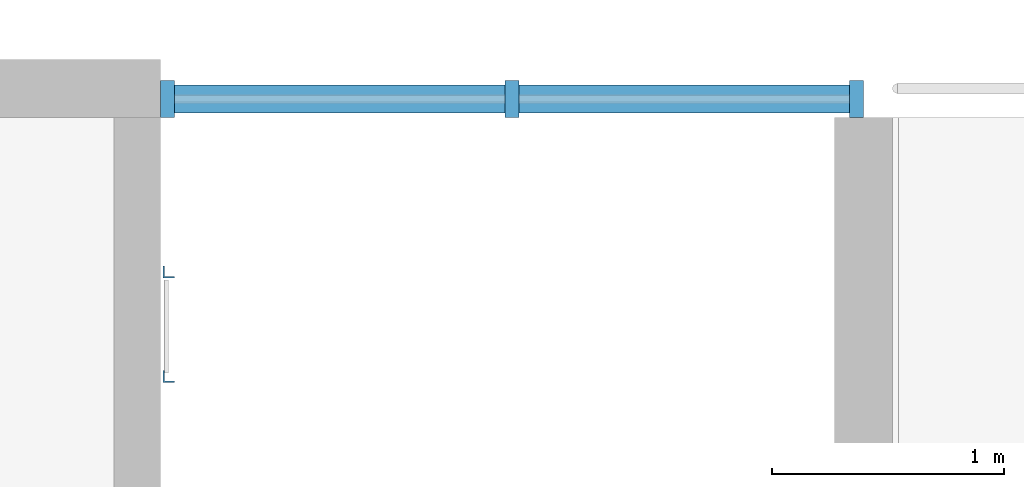
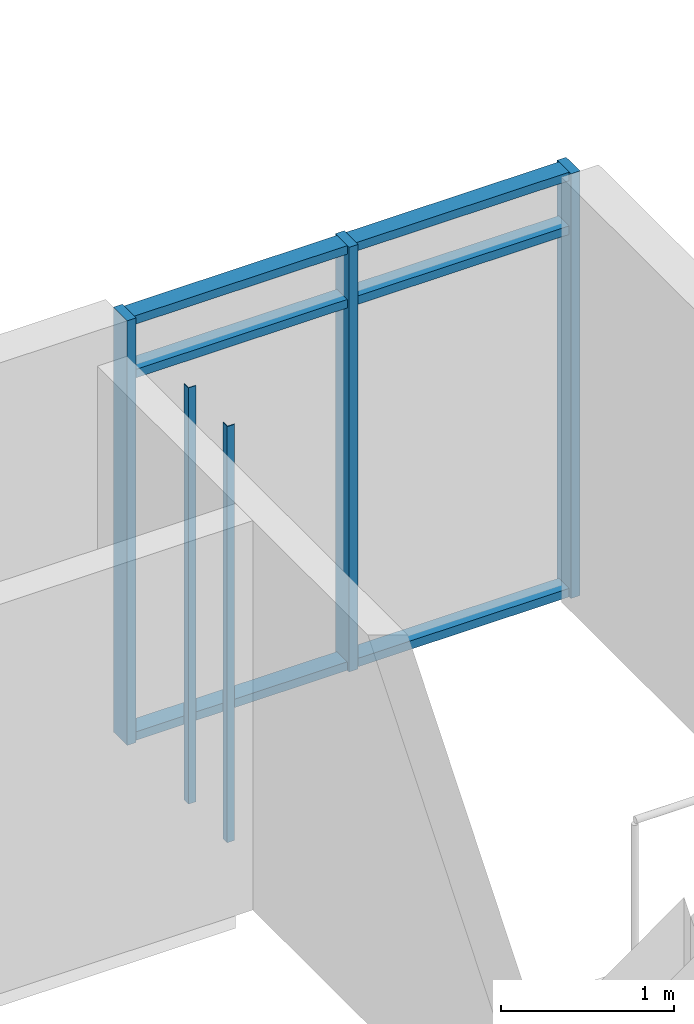
# One storey, part 12 of 78: 11 members, 1 element without a shape of its own.
"""IFC4 building model written with IfcOpenShell, lengths in metres."""

from ifc_helpers import new_model, si_unit, direction, frame, origin, origin_2d, place, context, subcontext, project, spatial, polyline, rectangle, outline, extrude, material, material_profile, profile_set, type_object, element, aggregate, save


model = new_model("IFC4")

# Units and contexts
model_context = context("Model", 3, precision=1e-05, world=origin(), true_north=direction((0.0, 1.0)))
body_context = subcontext(model_context, "Body", "Model", "MODEL_VIEW")
ifc_project = project(units=[si_unit("LENGTHUNIT", "METRE"), si_unit("AREAUNIT", "SQUARE_METRE"), si_unit("VOLUMEUNIT", "CUBIC_METRE"), si_unit("PLANEANGLEUNIT", "RADIAN"), si_unit("MASSUNIT", "GRAM", prefix="KILO")], contexts=[model_context])

# Site, building, storey
site_placement = place(None, origin())
site = spatial("IfcSite", under=ifc_project, at=site_placement, CompositionType="ELEMENT")
building_placement = place(site_placement, origin())
building = spatial("IfcBuilding", under=site, at=building_placement, Name="Ridgestep Commons", CompositionType="ELEMENT")
storey_placement = place(building_placement, frame((0.0, 0.0, 30.0)))
storey = spatial("IfcBuildingStorey", under=building, at=storey_placement, Name="L10", CompositionType="ELEMENT", Elevation=30.0)

# Members
ifc_material_1 = material(Name="Structural steel S355JR", Category="steel")
ifc_material_profile_1 = material_profile(ifc_material_1, outline(polyline([(-0.014404296875, -0.014404296875), (0.03564453125, -0.014404296875), (0.03564453125, -0.00927734375), (-0.00927734375, -0.00927734375), (-0.00927734375, 0.03564453125), (-0.014404296875, 0.03564453125), (-0.014404296875, -0.014404296875)])), Name="EA 50x50x5")
ifc_profile_set_1 = profile_set([ifc_material_profile_1], Name="Structural steel S355JR")
member_type_1 = type_object("IfcMemberType", Name="Core ladder stile EA 50x50x5", PredefinedType="STRINGER", material=ifc_profile_set_1)
for number, where, z_axis, x_axis, name in (
    (1, (31.800048828125, 75.875, 0.0), (0.0, 0.0, 1.0), (1.0, 0.0, 0.0), "Ladder stile B2C.1"),
    (2, (31.800048828125, 76.324951171875, 0.0), (0.0, 0.0, 1.0), (1.0, 0.0, 0.0), "Ladder stile B2C.2"),
):
    element("IfcMember", number, at=place(storey_placement, frame(where, z_axis=z_axis, x_axis=x_axis)), inside=storey, type_object=member_type_1, Name=name, PredefinedType="STRINGER", context=body_context, shape_type="SweptSolid", body=[
        extrude(outline(polyline([(-0.014404296875, -0.014404296875), (0.03564453125, -0.014404296875), (0.03564453125, -0.00927734375), (-0.00927734375, -0.00927734375), (-0.00927734375, 0.03564453125), (-0.014404296875, 0.03564453125), (-0.014404296875, -0.014404296875)])), origin(), (0.0, 0.0, 1.0), 2.93994140625),
    ])

# Curtain wall, members
ifc_material_2 = material(Name="Aluminium 6063-T6 and glass", Category="aluminium")
curtain_wall_type = type_object("IfcCurtainWallType", Name="Curtain wall stair strip", PredefinedType="NOTDEFINED", material=ifc_material_2)
curtain_wall_placement = place(storey_placement, origin())
curtain_wall = element("IfcCurtainWall", 3, at=curtain_wall_placement, inside=storey, type_object=curtain_wall_type, Name="Curtain wall B2C level 10", PredefinedType="NOTDEFINED")
ifc_material_3 = material(Name="Aluminium 6063-T6", Category="aluminium")
ifc_material_profile_2 = material_profile(ifc_material_3, rectangle(XDim=0.159912109375, YDim=0.06005859375, at=origin_2d()), Name="Mullion 60 x 160")
ifc_profile_set_2 = profile_set([ifc_material_profile_2], Name="Aluminium 6063-T6")
member_type_2 = type_object("IfcMemberType", Name="Mullion 60 x 160", PredefinedType="MULLION", material=ifc_profile_set_2)
member_1_placement = place(storey_placement, frame((31.804931640625, 77.080078125, 0.0), z_axis=(0.0, 0.0, 1.0), x_axis=(0.0, 1.0, 0.0)))
member_1 = element("IfcMember", 4, at=member_1_placement, type_object=member_type_2, Name="CW1 mullion 1", PredefinedType="MULLION", context=body_context, shape_type="SweptSolid", body=[
    extrude(rectangle(XDim=0.159912109375, YDim=0.06005859375, at=origin_2d()), origin(), (0.0, 0.0, 1.0), 3.0),
])
member_2_placement = place(storey_placement, frame((33.28759765625, 77.080078125, 0.0), z_axis=(0.0, 0.0, 1.0), x_axis=(0.0, 1.0, 0.0)))
member_2 = element("IfcMember", 5, at=member_2_placement, type_object=member_type_2, Name="CW1 mullion 2", PredefinedType="MULLION", context=body_context, shape_type="SweptSolid", body=[
    extrude(rectangle(XDim=0.159912109375, YDim=0.06005859375, at=origin_2d()), origin(), (0.0, 0.0, 1.0), 3.0),
])
member_3_placement = place(storey_placement, frame((34.77001953125, 77.080078125, 0.0), z_axis=(0.0, 0.0, 1.0), x_axis=(0.0, 1.0, 0.0)))
member_3 = element("IfcMember", 6, at=member_3_placement, type_object=member_type_2, Name="CW1 mullion 3", PredefinedType="MULLION", context=body_context, shape_type="SweptSolid", body=[
    extrude(rectangle(XDim=0.159912109375, YDim=0.06005859375, at=origin_2d()), origin(), (0.0, 0.0, 1.0), 3.0),
])
ifc_material_4 = material(Name="Aluminium 6063-T6", Category="aluminium")
ifc_material_profile_3 = material_profile(ifc_material_4, rectangle(XDim=0.1201171875, YDim=0.06005859375, at=origin_2d()), Name="Transom 60 x 120")
ifc_profile_set_3 = profile_set([ifc_material_profile_3], Name="Aluminium 6063-T6")
member_type_3 = type_object("IfcMemberType", Name="Transom 60 x 120", PredefinedType="USERDEFINED", material=ifc_profile_set_3)
member_4_placement = place(storey_placement, frame((31.8349609375, 77.080078125, 0.030029296875), z_axis=(1.0, 0.0, 0.0), x_axis=(0.0, 1.0, 0.0)))
member_4 = element("IfcMember", 7, at=member_4_placement, type_object=member_type_3, Name="CW1 transom 1.1", ObjectType="TRANSOM", PredefinedType="USERDEFINED", context=body_context, shape_type="SweptSolid", body=[
    extrude(rectangle(XDim=0.1201171875, YDim=0.06005859375, at=origin_2d()), origin(), (0.0, 0.0, 1.0), 1.422607421875),
])
member_5_placement = place(storey_placement, frame((31.8349609375, 77.080078125, 2.590087890625), z_axis=(1.0, 0.0, 0.0), x_axis=(0.0, 1.0, 0.0)))
member_5 = element("IfcMember", 8, at=member_5_placement, type_object=member_type_3, Name="CW1 transom 1.2", ObjectType="TRANSOM", PredefinedType="USERDEFINED", context=body_context, shape_type="SweptSolid", body=[
    extrude(rectangle(XDim=0.1201171875, YDim=0.06005859375, at=origin_2d()), origin(), (0.0, 0.0, 1.0), 1.422607421875),
])
member_6_placement = place(storey_placement, frame((31.8349609375, 77.080078125, 2.969970703125), z_axis=(1.0, 0.0, 0.0), x_axis=(0.0, 1.0, 0.0)))
member_6 = element("IfcMember", 9, at=member_6_placement, type_object=member_type_3, Name="CW1 transom 1.3", ObjectType="TRANSOM", PredefinedType="USERDEFINED", context=body_context, shape_type="SweptSolid", body=[
    extrude(rectangle(XDim=0.1201171875, YDim=0.06005859375, at=origin_2d()), origin(), (0.0, 0.0, 1.0), 1.422607421875),
])
member_7_placement = place(storey_placement, frame((33.3173828125, 77.080078125, 0.030029296875), z_axis=(1.0, 0.0, 0.0), x_axis=(0.0, 1.0, 0.0)))
member_7 = element("IfcMember", 10, at=member_7_placement, type_object=member_type_3, Name="CW1 transom 2.1", ObjectType="TRANSOM", PredefinedType="USERDEFINED", context=body_context, shape_type="SweptSolid", body=[
    extrude(rectangle(XDim=0.1201171875, YDim=0.06005859375, at=origin_2d()), origin(), (0.0, 0.0, 1.0), 1.422607421875),
])
member_8_placement = place(storey_placement, frame((33.3173828125, 77.080078125, 2.590087890625), z_axis=(1.0, 0.0, 0.0), x_axis=(0.0, 1.0, 0.0)))
member_8 = element("IfcMember", 11, at=member_8_placement, type_object=member_type_3, Name="CW1 transom 2.2", ObjectType="TRANSOM", PredefinedType="USERDEFINED", context=body_context, shape_type="SweptSolid", body=[
    extrude(rectangle(XDim=0.1201171875, YDim=0.06005859375, at=origin_2d()), origin(), (0.0, 0.0, 1.0), 1.422607421875),
])
member_9_placement = place(storey_placement, frame((33.3173828125, 77.080078125, 2.969970703125), z_axis=(1.0, 0.0, 0.0), x_axis=(0.0, 1.0, 0.0)))
member_9 = element("IfcMember", 12, at=member_9_placement, type_object=member_type_3, Name="CW1 transom 2.3", ObjectType="TRANSOM", PredefinedType="USERDEFINED", context=body_context, shape_type="SweptSolid", body=[
    extrude(rectangle(XDim=0.1201171875, YDim=0.06005859375, at=origin_2d()), origin(), (0.0, 0.0, 1.0), 1.422607421875),
])
aggregate(curtain_wall, [member_1, member_2, member_3, member_4, member_5, member_6, member_7, member_8, member_9])

save(model, "model.ifc")
